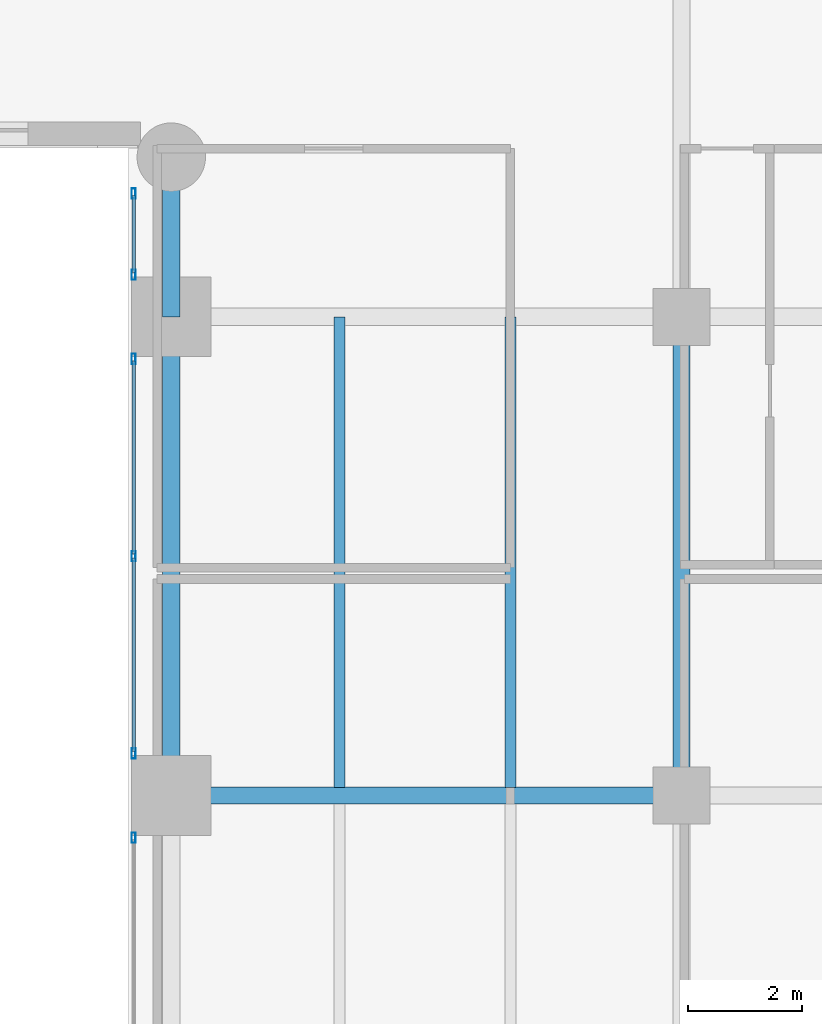
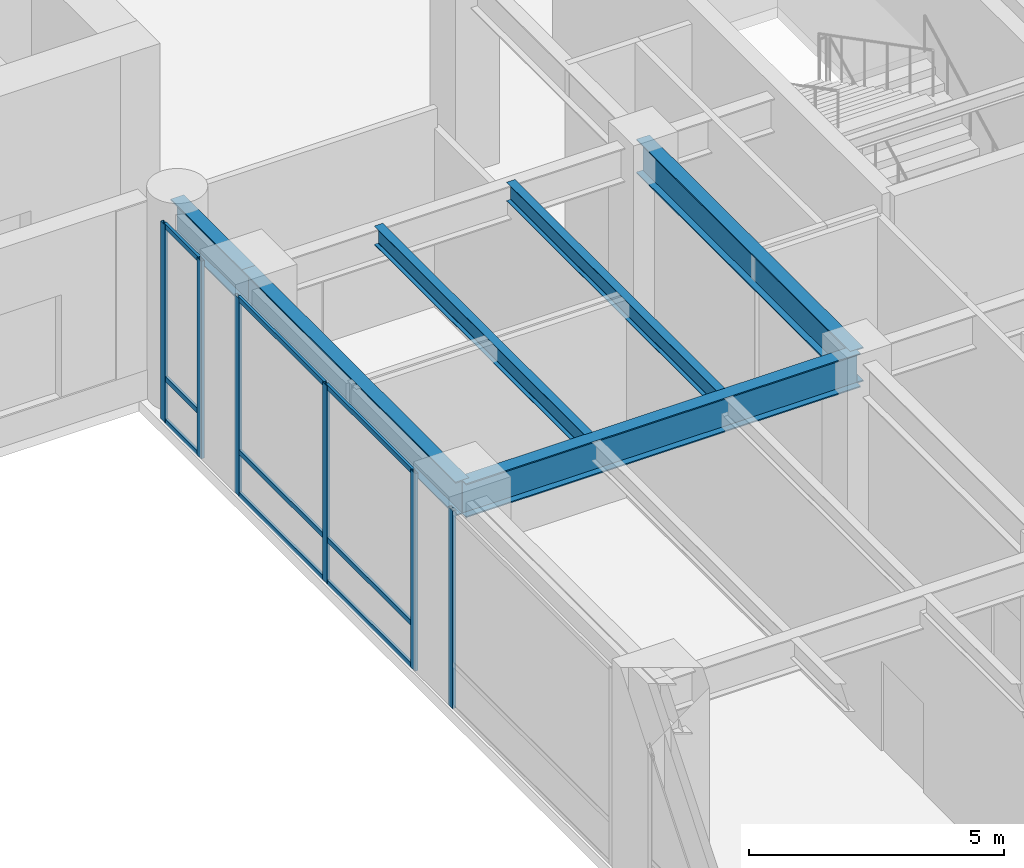
# One storey, part 10 of 24: 15 members, 6 beams, 3 elements without a shape of their own.
"""IFC4 building model written with IfcOpenShell, lengths in metres."""

from ifc_helpers import new_model, si_unit, direction, frame, origin, origin_2d, place, context, subcontext, project, spatial, hollow_rectangle, i_section, extrude, source, transform, mapped, material, layer, layer_set, material_profile, profile_set, type_object, type_shapes, element, aggregate, save


model = new_model("IFC4")

# Units and contexts
model_context = context("Model", 3, precision=1e-05, world=origin(), true_north=direction((0.0, 1.0)))
body_context = subcontext(model_context, "Body", "Model", "MODEL_VIEW")
ifc_project = project(units=[si_unit("LENGTHUNIT", "METRE"), si_unit("AREAUNIT", "SQUARE_METRE"), si_unit("VOLUMEUNIT", "CUBIC_METRE"), si_unit("PLANEANGLEUNIT", "RADIAN"), si_unit("MASSUNIT", "GRAM", prefix="KILO")], contexts=[model_context])

# Site, building, storey
site_placement = place(None, origin())
site = spatial("IfcSite", under=ifc_project, at=site_placement, CompositionType="ELEMENT")
building_placement = place(site_placement, origin())
building = spatial("IfcBuilding", under=site, at=building_placement, Name="Tolvann Quenvar Hotel", CompositionType="ELEMENT")
storey_placement = place(building_placement, frame((0.0, 0.0, 6.0)))
storey = spatial("IfcBuildingStorey", under=building, at=storey_placement, Name="L01", CompositionType="ELEMENT", Elevation=6.0)

# Beams
ifc_material_1 = material(Name="Steel Grade 350", Category="steel")
ifc_material_profile_1 = material_profile(ifc_material_1, i_section(OverallWidth=0.300048828125, OverallDepth=0.81591796875, WebThickness=0.010009765625, FlangeThickness=0.028076171875, at=origin_2d()), Name="800WB192")
ifc_profile_set_1 = profile_set([ifc_material_profile_1], Name="Steel Grade 350")
beam_type_1 = type_object("IfcBeamType", Name="BM_GIRD_800WB192", PredefinedType="BEAM", material=ifc_profile_set_1)
shared_shape_1 = source(origin(), body_context, "Body", "SweptSolid", [
    extrude(i_section(OverallWidth=0.300048828125, OverallDepth=0.81591796875, WebThickness=0.010009765625, FlangeThickness=0.028076171875, at=origin_2d()), origin(), (0.0, 0.0, 1.0), 8.39990234375),
])
for number, where, z_axis, x_axis, name in (
    (1, (38.25, 16.0, 4.33203125), (0.0, 1.0, 0.0), (-1.0, 0.0, 0.0), "BM-L01-NS-APE-2"),
    (2, (47.199951171875, 16.0, 4.33203125), (0.0, 1.0, 0.0), (-1.0, 0.0, 0.0), "BM-L01-NS-H-2"),
):
    element("IfcBeam", number, at=place(storey_placement, frame(where, z_axis=z_axis, x_axis=x_axis)), inside=storey, type_object=beam_type_1, Name=name, PredefinedType="BEAM", context=body_context, shape_type="MappedRepresentation", body=[
        mapped(shared_shape_1, transform((0.0, 0.0, 0.0), x_axis=(1.0, 0.0, 0.0), y_axis=(0.0, 1.0, 0.0), z_axis=(0.0, 0.0, 1.0), scale=1.0)),
    ])
shared_shape_2 = source(origin(), body_context, "Body", "SweptSolid", [
    extrude(i_section(OverallWidth=0.300048828125, OverallDepth=0.81591796875, WebThickness=0.010009765625, FlangeThickness=0.028076171875, at=origin_2d()), origin(), (0.0, 0.0, 1.0), 2.800048828125),
])
beam_1_placement = place(storey_placement, frame((38.25, 24.39990234375, 4.33203125), z_axis=(0.0, 1.0, 0.0), x_axis=(-1.0, 0.0, 0.0)))
element("IfcBeam", 3, at=beam_1_placement, inside=storey, type_object=beam_type_1, Name="BM-L01-NS-APE-3", PredefinedType="BEAM", context=body_context, shape_type="MappedRepresentation", body=[
    mapped(shared_shape_2, transform((0.0, 0.0, 0.0), x_axis=(1.0, 0.0, 0.0), y_axis=(0.0, 1.0, 0.0), z_axis=(0.0, 0.0, 1.0), scale=1.0)),
])
shared_shape_3 = source(origin(), body_context, "Body", "SweptSolid", [
    extrude(i_section(OverallWidth=0.300048828125, OverallDepth=0.81591796875, WebThickness=0.010009765625, FlangeThickness=0.028076171875, at=origin_2d()), origin(), (0.0, 0.0, 1.0), 8.949951171875),
])
type_shapes(beam_type_1, [shared_shape_1, shared_shape_2, shared_shape_3])
beam_2_placement = place(storey_placement, frame((38.25, 16.0, 4.33203125), z_axis=(1.0, 0.0, 0.0), x_axis=(0.0, 1.0, 0.0)))
element("IfcBeam", 4, at=beam_2_placement, inside=storey, type_object=beam_type_1, Name="BM-L01-GE1-3", PredefinedType="BEAM", context=body_context, shape_type="MappedRepresentation", body=[
    mapped(shared_shape_3, transform((0.0, 0.0, 0.0), x_axis=(1.0, 0.0, 0.0), y_axis=(0.0, 1.0, 0.0), z_axis=(0.0, 0.0, 1.0), scale=1.0)),
])
ifc_material_profile_2 = material_profile(ifc_material_1, i_section(OverallWidth=0.18994140625, OverallDepth=0.4541015625, WebThickness=0.008544921875, FlangeThickness=0.0126953125, FilletRadius=0.011474609375, at=origin_2d()), Name="460UB67")
ifc_profile_set_2 = profile_set([ifc_material_profile_2], Name="Steel Grade 350")
beam_type_2 = type_object("IfcBeamType", Name="BM_JOIST_460UB67", PredefinedType="JOIST", material=ifc_profile_set_2)
shared_shape_4 = source(origin(), body_context, "Body", "SweptSolid", [
    extrude(i_section(OverallWidth=0.18994140625, OverallDepth=0.4541015625, WebThickness=0.008544921875, FlangeThickness=0.0126953125, FilletRadius=0.011474609375, at=origin_2d()), origin(), (0.0, 0.0, 1.0), 8.255859375),
])
type_shapes(beam_type_2, [shared_shape_4])
for number, where, z_axis, x_axis, name in (
    (5, (41.199951171875, 16.14404296875, 4.512939453125), (0.0, 1.0, 0.0), (-1.0, 0.0, 0.0), "BJ-L01-412-160"),
    (6, (44.199951171875, 16.14404296875, 4.512939453125), (0.0, 1.0, 0.0), (-1.0, 0.0, 0.0), "BJ-L01-442-160"),
):
    element("IfcBeam", number, at=place(storey_placement, frame(where, z_axis=z_axis, x_axis=x_axis)), inside=storey, type_object=beam_type_2, Name=name, PredefinedType="JOIST", context=body_context, shape_type="MappedRepresentation", body=[
        mapped(shared_shape_4, transform((0.0, 0.0, 0.0), x_axis=(1.0, 0.0, 0.0), y_axis=(0.0, 1.0, 0.0), z_axis=(0.0, 0.0, 1.0), scale=1.0)),
    ])

# Curtain wall, members
ifc_material_2 = material(Name="Thermally broken anodised architectural aluminium 6063-T6 and laminated low-E glass", Category="aluminium")
ifc_layer = layer(ifc_material_2, 0.179931640625)
ifc_layer_set = layer_set([ifc_layer], Name="Thermally broken anodised architectural aluminium 6063-T6 and laminated low-E glass")
curtain_wall_type = type_object("IfcCurtainWallType", Name="CW_SYS_ARCH_01", PredefinedType="USERDEFINED", material=ifc_layer_set)
curtain_wall_1_placement = place(storey_placement, origin())
curtain_wall_1 = element("IfcCurtainWall", 7, at=curtain_wall_1_placement, inside=storey, type_object=curtain_wall_type, Name="Curtain Wall CW-ARCH-01 (CWR-L01-E03-S2)", ObjectType="UNITISED CURTAIN WALL", PredefinedType="USERDEFINED")
ifc_material_3 = material(Name="Anodised architectural aluminium 6063-T6 framing", Category="aluminium")
ifc_material_profile_3 = material_profile(ifc_material_3, hollow_rectangle(XDim=0.06005859375, YDim=0.1201171875, WallThickness=0.00341796875, at=origin_2d()), Name="120x60x3.5RHS")
ifc_profile_set_3 = profile_set([ifc_material_profile_3], Name="Anodised architectural aluminium 6063-T6 framing")
member_type_1 = type_object("IfcMemberType", Name="CW_TRAN_120x60", PredefinedType="USERDEFINED", material=ifc_profile_set_3)
shared_shape_5 = source(origin(), body_context, "Body", "SweptSolid", [
    extrude(hollow_rectangle(XDim=0.06005859375, YDim=0.1201171875, WallThickness=0.00341796875, at=origin_2d()), origin(), (0.0, 0.0, 1.0), 3.39111328125),
])
member_1_placement = place(storey_placement, frame((37.590087890625, 20.1650390625, 0.030029296875), z_axis=(0.0, -1.0, 0.0), x_axis=(1.0, 0.0, 0.0)))
member_1 = element("IfcMember", 8, at=member_1_placement, type_object=member_type_1, Name="CW-ARCH-01 transom 2.1", ObjectType="TRANSOM", PredefinedType="USERDEFINED", context=body_context, shape_type="MappedRepresentation", body=[
    mapped(shared_shape_5, transform((0.0, 0.0, 0.0), x_axis=(1.0, 0.0, 0.0), y_axis=(0.0, 1.0, 0.0), z_axis=(0.0, 0.0, 1.0), scale=1.0)),
])
member_2_placement = place(storey_placement, frame((37.590087890625, 20.1650390625, 1.050048828125), z_axis=(0.0, -1.0, 0.0), x_axis=(1.0, 0.0, 0.0)))
member_2 = element("IfcMember", 9, at=member_2_placement, type_object=member_type_1, Name="CW-ARCH-01 transom 2.2", ObjectType="TRANSOM", PredefinedType="USERDEFINED", context=body_context, shape_type="MappedRepresentation", body=[
    mapped(shared_shape_5, transform((0.0, 0.0, 0.0), x_axis=(1.0, 0.0, 0.0), y_axis=(0.0, 1.0, 0.0), z_axis=(0.0, 0.0, 1.0), scale=1.0)),
])
member_3_placement = place(storey_placement, frame((37.590087890625, 20.1650390625, 4.7099609375), z_axis=(0.0, -1.0, 0.0), x_axis=(1.0, 0.0, 0.0)))
member_3 = element("IfcMember", 10, at=member_3_placement, type_object=member_type_1, Name="CW-ARCH-01 transom 2.3", ObjectType="TRANSOM", PredefinedType="USERDEFINED", context=body_context, shape_type="MappedRepresentation", body=[
    mapped(shared_shape_5, transform((0.0, 0.0, 0.0), x_axis=(1.0, 0.0, 0.0), y_axis=(0.0, 1.0, 0.0), z_axis=(0.0, 0.0, 1.0), scale=1.0)),
])
shared_shape_6 = source(origin(), body_context, "Body", "SweptSolid", [
    extrude(hollow_rectangle(XDim=0.06005859375, YDim=0.1201171875, WallThickness=0.00341796875, at=origin_2d()), origin(), (0.0, 0.0, 1.0), 3.390869140625),
])
member_4_placement = place(storey_placement, frame((37.590087890625, 23.6259765625, 0.030029296875), z_axis=(0.0, -1.0, 0.0), x_axis=(1.0, 0.0, 0.0)))
member_4 = element("IfcMember", 11, at=member_4_placement, type_object=member_type_1, Name="CW-ARCH-01 transom 1.1", ObjectType="TRANSOM", PredefinedType="USERDEFINED", context=body_context, shape_type="MappedRepresentation", body=[
    mapped(shared_shape_6, transform((0.0, 0.0, 0.0), x_axis=(1.0, 0.0, 0.0), y_axis=(0.0, 1.0, 0.0), z_axis=(0.0, 0.0, 1.0), scale=1.0)),
])
member_5_placement = place(storey_placement, frame((37.590087890625, 23.6259765625, 1.050048828125), z_axis=(0.0, -1.0, 0.0), x_axis=(1.0, 0.0, 0.0)))
member_5 = element("IfcMember", 12, at=member_5_placement, type_object=member_type_1, Name="CW-ARCH-01 transom 1.2", ObjectType="TRANSOM", PredefinedType="USERDEFINED", context=body_context, shape_type="MappedRepresentation", body=[
    mapped(shared_shape_6, transform((0.0, 0.0, 0.0), x_axis=(1.0, 0.0, 0.0), y_axis=(0.0, 1.0, 0.0), z_axis=(0.0, 0.0, 1.0), scale=1.0)),
])
member_6_placement = place(storey_placement, frame((37.590087890625, 23.6259765625, 4.7099609375), z_axis=(0.0, -1.0, 0.0), x_axis=(1.0, 0.0, 0.0)))
member_6 = element("IfcMember", 13, at=member_6_placement, type_object=member_type_1, Name="CW-ARCH-01 transom 1.3", ObjectType="TRANSOM", PredefinedType="USERDEFINED", context=body_context, shape_type="MappedRepresentation", body=[
    mapped(shared_shape_6, transform((0.0, 0.0, 0.0), x_axis=(1.0, 0.0, 0.0), y_axis=(0.0, 1.0, 0.0), z_axis=(0.0, 0.0, 1.0), scale=1.0)),
])

curtain_wall_2_placement = place(storey_placement, origin())
curtain_wall_2 = element("IfcCurtainWall", 14, at=curtain_wall_2_placement, inside=storey, type_object=curtain_wall_type, Name="Curtain Wall CW-ARCH-01 (CWR-L01-E03-S1)", ObjectType="UNITISED CURTAIN WALL", PredefinedType="USERDEFINED")
shared_shape_7 = source(origin(), body_context, "Body", "SweptSolid", [
    extrude(hollow_rectangle(XDim=0.06005859375, YDim=0.1201171875, WallThickness=0.00341796875, at=origin_2d()), origin(), (0.0, 0.0, 1.0), 1.351806640625),
])
type_shapes(member_type_1, [shared_shape_5, shared_shape_6, shared_shape_7])
member_7_placement = place(storey_placement, frame((37.590087890625, 26.52587890625, 0.030029296875), z_axis=(0.0, -1.0, 0.0), x_axis=(1.0, 0.0, 0.0)))
member_7 = element("IfcMember", 15, at=member_7_placement, type_object=member_type_1, Name="CW-ARCH-01 transom 1.1", ObjectType="TRANSOM", PredefinedType="USERDEFINED", context=body_context, shape_type="MappedRepresentation", body=[
    mapped(shared_shape_7, transform((0.0, 0.0, 0.0), x_axis=(1.0, 0.0, 0.0), y_axis=(0.0, 1.0, 0.0), z_axis=(0.0, 0.0, 1.0), scale=1.0)),
])
member_8_placement = place(storey_placement, frame((37.590087890625, 26.52587890625, 1.050048828125), z_axis=(0.0, -1.0, 0.0), x_axis=(1.0, 0.0, 0.0)))
member_8 = element("IfcMember", 16, at=member_8_placement, type_object=member_type_1, Name="CW-ARCH-01 transom 1.2", ObjectType="TRANSOM", PredefinedType="USERDEFINED", context=body_context, shape_type="MappedRepresentation", body=[
    mapped(shared_shape_7, transform((0.0, 0.0, 0.0), x_axis=(1.0, 0.0, 0.0), y_axis=(0.0, 1.0, 0.0), z_axis=(0.0, 0.0, 1.0), scale=1.0)),
])
member_9_placement = place(storey_placement, frame((37.590087890625, 26.52587890625, 4.7099609375), z_axis=(0.0, -1.0, 0.0), x_axis=(1.0, 0.0, 0.0)))
member_9 = element("IfcMember", 17, at=member_9_placement, type_object=member_type_1, Name="CW-ARCH-01 transom 1.3", ObjectType="TRANSOM", PredefinedType="USERDEFINED", context=body_context, shape_type="MappedRepresentation", body=[
    mapped(shared_shape_7, transform((0.0, 0.0, 0.0), x_axis=(1.0, 0.0, 0.0), y_axis=(0.0, 1.0, 0.0), z_axis=(0.0, 0.0, 1.0), scale=1.0)),
])
ifc_material_profile_4 = material_profile(ifc_material_3, hollow_rectangle(XDim=0.070068359375, YDim=0.179931640625, WallThickness=0.00390625, at=origin_2d()), Name="180x70x4RHS")
ifc_profile_set_4 = profile_set([ifc_material_profile_4], Name="Anodised architectural aluminium 6063-T6 framing")
member_type_2 = type_object("IfcMemberType", Name="CW_MULL_180x70", PredefinedType="MULLION", material=ifc_profile_set_4)
shared_shape_8 = source(origin(), body_context, "Body", "SweptSolid", [
    extrude(hollow_rectangle(XDim=0.070068359375, YDim=0.179931640625, WallThickness=0.00390625, at=origin_2d()), origin(), (0.0, 0.0, 1.0), 4.739990234375),
])
type_shapes(member_type_2, [shared_shape_8])
member_10_placement = place(storey_placement, frame((37.590087890625, 26.56103515625, 0.0), z_axis=(0.0, 0.0, 1.0), x_axis=(1.0, 0.0, 0.0)))
member_10 = element("IfcMember", 18, at=member_10_placement, type_object=member_type_2, Name="CW-ARCH-01 mullion 1", PredefinedType="MULLION", context=body_context, shape_type="MappedRepresentation", body=[
    mapped(shared_shape_8, transform((0.0, 0.0, 0.0), x_axis=(1.0, 0.0, 0.0), y_axis=(0.0, 1.0, 0.0), z_axis=(0.0, 0.0, 1.0), scale=1.0)),
])
member_11_placement = place(storey_placement, frame((37.590087890625, 25.138916015625, 0.0), z_axis=(0.0, 0.0, 1.0), x_axis=(1.0, 0.0, 0.0)))
member_11 = element("IfcMember", 19, at=member_11_placement, type_object=member_type_2, Name="CW-ARCH-01 mullion 2", PredefinedType="MULLION", context=body_context, shape_type="MappedRepresentation", body=[
    mapped(shared_shape_8, transform((0.0, 0.0, 0.0), x_axis=(1.0, 0.0, 0.0), y_axis=(0.0, 1.0, 0.0), z_axis=(0.0, 0.0, 1.0), scale=1.0)),
])
aggregate(curtain_wall_2, [member_10, member_11, member_7, member_8, member_9])

# Member
member_12_placement = place(storey_placement, frame((37.590087890625, 23.660888671875, 0.0), z_axis=(0.0, 0.0, 1.0), x_axis=(1.0, 0.0, 0.0)))
member_12 = element("IfcMember", 20, at=member_12_placement, type_object=member_type_2, Name="CW-ARCH-01 mullion 1", PredefinedType="MULLION", context=body_context, shape_type="MappedRepresentation", body=[
    mapped(shared_shape_8, transform((0.0, 0.0, 0.0), x_axis=(1.0, 0.0, 0.0), y_axis=(0.0, 1.0, 0.0), z_axis=(0.0, 0.0, 1.0), scale=1.0)),
])

member_13_placement = place(storey_placement, frame((37.590087890625, 20.199951171875, 0.0), z_axis=(0.0, 0.0, 1.0), x_axis=(1.0, 0.0, 0.0)))
member_13 = element("IfcMember", 21, at=member_13_placement, type_object=member_type_2, Name="CW-ARCH-01 mullion 2", PredefinedType="MULLION", context=body_context, shape_type="MappedRepresentation", body=[
    mapped(shared_shape_8, transform((0.0, 0.0, 0.0), x_axis=(1.0, 0.0, 0.0), y_axis=(0.0, 1.0, 0.0), z_axis=(0.0, 0.0, 1.0), scale=1.0)),
])

member_14_placement = place(storey_placement, frame((37.590087890625, 16.739013671875, 0.0), z_axis=(0.0, 0.0, 1.0), x_axis=(1.0, 0.0, 0.0)))
member_14 = element("IfcMember", 22, at=member_14_placement, type_object=member_type_2, Name="CW-ARCH-01 mullion 3", PredefinedType="MULLION", context=body_context, shape_type="MappedRepresentation", body=[
    mapped(shared_shape_8, transform((0.0, 0.0, 0.0), x_axis=(1.0, 0.0, 0.0), y_axis=(0.0, 1.0, 0.0), z_axis=(0.0, 0.0, 1.0), scale=1.0)),
])

aggregate(curtain_wall_1, [member_12, member_13, member_14, member_4, member_5, member_6, member_1, member_2, member_3])

# Curtain wall, member
curtain_wall_3_placement = place(storey_placement, origin())
curtain_wall_3 = element("IfcCurtainWall", 23, at=curtain_wall_3_placement, inside=storey, type_object=curtain_wall_type, Name="Curtain Wall CW-ARCH-01 (CWR-L01-E03-S3)", ObjectType="UNITISED CURTAIN WALL", PredefinedType="USERDEFINED")
member_15_placement = place(storey_placement, frame((37.590087890625, 15.260986328125, 0.0), z_axis=(0.0, 0.0, 1.0), x_axis=(1.0, 0.0, 0.0)))
member_15 = element("IfcMember", 24, at=member_15_placement, type_object=member_type_2, Name="CW-ARCH-01 mullion 1", PredefinedType="MULLION", context=body_context, shape_type="MappedRepresentation", body=[
    mapped(shared_shape_8, transform((0.0, 0.0, 0.0), x_axis=(1.0, 0.0, 0.0), y_axis=(0.0, 1.0, 0.0), z_axis=(0.0, 0.0, 1.0), scale=1.0)),
])
aggregate(curtain_wall_3, [member_15])

save(model, "model.ifc")
